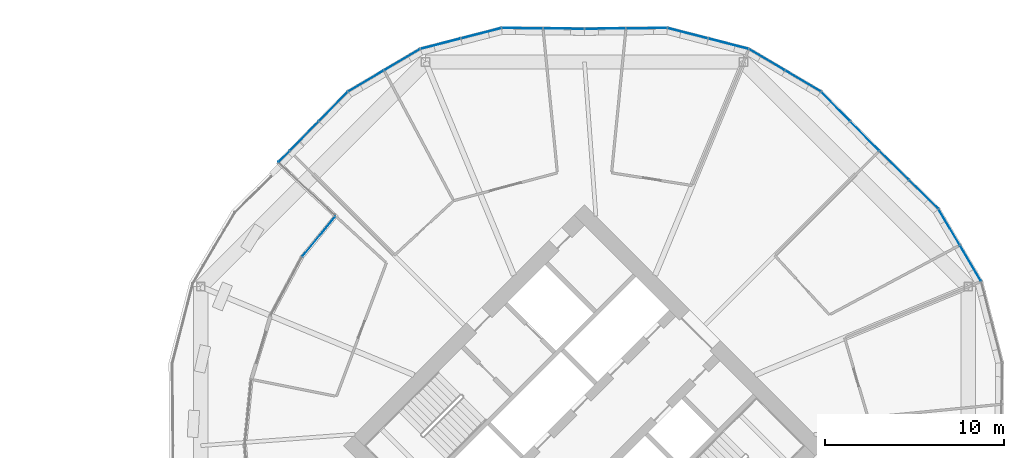
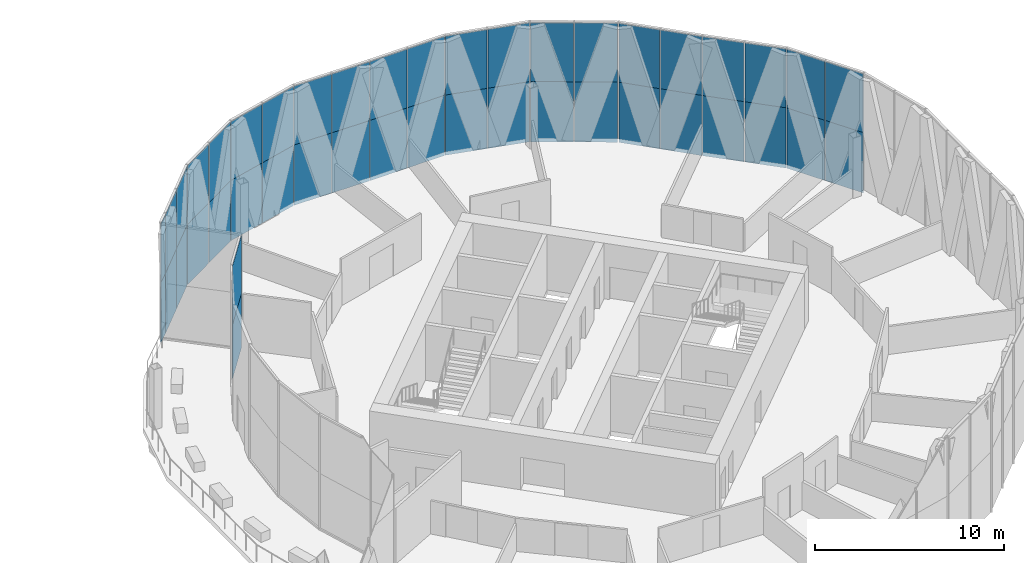
# One storey, part 21 of 31: 44 plates, 5 elements without a shape of their own.
"""IFC4 building model written with IfcOpenShell, lengths in metres."""

import ifcopenshell
import ifcopenshell.guid

model = None  # the IFC model being written
_history = None  # IfcOwnerHistory: only IFC2X3 demands one
_inside = {}  # id of a spatial element -> (the spatial element, [elements in it])
_under = {}  # id of a project, library or spatial element -> (it, [spatial elements below it])
_declared = {}  # id of a project -> (the project, [libraries it declares])
_typed = {}  # id of a type object -> (the type object, [elements of that type])
_made_of = {}  # id of a material, layer set ... -> (it, [elements and type objects made of it])


def new_model(schema):
    """Start an empty IFC model of exactly this schema.

    Asked for "IFC4X3", IfcOpenShell would pick the latest addendum, in which some entities
    have other attributes; the version numbers below select the first issue.
    IFC2X3 requires an IfcOwnerHistory on every rooted entity: one is made here for all.
    """
    global model, _history
    if schema == "IFC4X3":
        model = ifcopenshell.file(schema_version=(4, 3, 0, 0))
    else:
        model = ifcopenshell.file(schema=schema)
    _inside.clear()
    _under.clear()
    _declared.clear()
    _typed.clear()
    _made_of.clear()
    _history = None
    if model.schema == "IFC2X3":
        org = make("IfcOrganization", Name="unknown")
        user = make(
            "IfcPersonAndOrganization",
            ThePerson=make("IfcPerson", FamilyName="unknown"),
            TheOrganization=org,
        )
        app = make(
            "IfcApplication",
            ApplicationDeveloper=org,
            Version="unknown",
            ApplicationFullName="unknown",
            ApplicationIdentifier="unknown",
        )
        _history = make(
            "IfcOwnerHistory",
            OwningUser=user,
            OwningApplication=app,
            ChangeAction="ADDED",
            CreationDate=0,
        )
    return model


def make(cls, **values):
    """One entity of the class cls with the attributes given. An attribute that is None is left unset."""
    return model.create_entity(
        cls, **{name: value for name, value in values.items() if value is not None}
    )


def rooted(cls, **values):
    """An entity with a GlobalId (a new one), such as an element, a storey or a relation."""
    return make(cls, GlobalId=ifcopenshell.guid.new(), OwnerHistory=_history, **values)


def si_unit(unit_type, name, prefix=None):
    """IfcSIUnit, for example si_unit("LENGTHUNIT", "METRE", prefix="MILLI")."""
    return make("IfcSIUnit", UnitType=unit_type, Prefix=prefix, Name=name)


def assignment(units):
    """IfcUnitAssignment: the units of a project."""
    return None if units is None else make("IfcUnitAssignment", Units=units)


def point(xyz):
    """IfcCartesianPoint."""
    return None if xyz is None else make("IfcCartesianPoint", Coordinates=xyz)


def direction(xyz):
    """IfcDirection."""
    return None if xyz is None else make("IfcDirection", DirectionRatios=xyz)


def frame(location, z_axis=None, x_axis=None):
    """IfcAxis2Placement3D, a coordinate frame: its origin and axes. An axis left out is left unset."""
    return make(
        "IfcAxis2Placement3D",
        Location=point(location),
        Axis=direction(z_axis),
        RefDirection=direction(x_axis),
    )


def frame_2d(location, x_axis=None):
    """IfcAxis2Placement2D, a coordinate frame in the plane: its origin and x axis."""
    return make(
        "IfcAxis2Placement2D", Location=point(location), RefDirection=direction(x_axis)
    )


def origin():
    """The frame at (0, 0, 0) with its axes left unset."""
    return frame((0.0, 0.0, 0.0))


def origin_2d():
    """The frame at (0, 0) in the plane with its x axis left unset."""
    return frame_2d((0.0, 0.0))


def place(relative_to, where):
    """IfcLocalPlacement: puts the frame where relative to a parent placement (None: the world)."""
    return make(
        "IfcLocalPlacement", PlacementRelTo=relative_to, RelativePlacement=where
    )


def context(
    kind, dimensions, precision=None, world=None, true_north=None, identifier=None
):
    """IfcGeometricRepresentationContext, for example the 3D "Model" context."""
    return make(
        "IfcGeometricRepresentationContext",
        ContextIdentifier=identifier,
        ContextType=kind,
        CoordinateSpaceDimension=dimensions,
        Precision=precision,
        WorldCoordinateSystem=world,
        TrueNorth=true_north,
    )


def subcontext(parent, identifier, kind, view, scale=None):
    """IfcGeometricRepresentationSubContext, for example "Body" below "Model"."""
    return make(
        "IfcGeometricRepresentationSubContext",
        ContextIdentifier=identifier,
        ContextType=kind,
        ParentContext=parent,
        TargetScale=scale,
        TargetView=view,
    )


def project(units=None, contexts=None):
    """IfcProject with its units and contexts."""
    return rooted(
        "IfcProject",
        Name="project",
        RepresentationContexts=contexts,
        UnitsInContext=assignment(units),
    )


def spatial(cls, under=None, at=None, **own):
    """A site, building, storey or space (cls), placed at a placement, below another one or the project."""
    s = rooted(cls, ObjectPlacement=at, **own)
    if under is not None:
        _under.setdefault(under.id(), (under, []))[1].append(s)
    return s


def profile(cls, at=None, kind="AREA", **sizes):
    """A parametric profile (cls). Its sizes go by their IFC names, for example OverallWidth=200.0."""
    return make(cls, ProfileType=kind, Position=at, **sizes)


def rectangle(**sizes):
    """IfcRectangleProfileDef."""
    return profile("IfcRectangleProfileDef", **sizes)


def extrude(swept, where, along, depth):
    """IfcExtrudedAreaSolid: the profile swept, set in the frame where, extruded along a direction by depth."""
    return make(
        "IfcExtrudedAreaSolid",
        SweptArea=swept,
        Position=where,
        ExtrudedDirection=direction(along),
        Depth=depth,
    )


def shape(context_of_items, identifier, shape_type, items):
    """IfcShapeRepresentation: the items that make up one representation, for example the "Body"."""
    return make(
        "IfcShapeRepresentation",
        ContextOfItems=context_of_items,
        RepresentationIdentifier=identifier,
        RepresentationType=shape_type,
        Items=items,
    )


def material(Name=None, Category=None):
    """IfcMaterial."""
    return make("IfcMaterial", Name=Name, Category=Category)


def layer(
    of_material, thickness, ventilated=None, Name=None, Category=None, Priority=None
):
    """IfcMaterialLayer: one layer of a wall or slab, of a material (None: an air gap)."""
    return make(
        "IfcMaterialLayer",
        Material=of_material,
        LayerThickness=thickness,
        IsVentilated=ventilated,
        Name=Name,
        Category=Category,
        Priority=Priority,
    )


def layer_set(layers, Name=None):
    """IfcMaterialLayerSet."""
    return make("IfcMaterialLayerSet", MaterialLayers=layers, LayerSetName=Name)


def made_of(thing, what):
    """Note that an element or type object is made of a material, layer set ...; save() writes the relation."""
    if what is not None:
        _made_of.setdefault(what.id(), (what, []))[1].append(thing)
    return thing


def type_object(cls, material=None, **own):
    """A type object (cls), such as IfcWallType, which elements share."""
    return made_of(rooted(cls, **own), material)


def element(
    cls,
    number,
    at=None,
    inside=None,
    cuts=None,
    type_object=None,
    material=None,
    context=None,
    identifier="Body",
    shape_type=None,
    held_by="IfcProductDefinitionShape",
    body=None,
    shapes=None,
    **own,
):
    """One element of the class cls, such as IfcWall. Its Tag is "e" and its number.

    at: its placement. inside: the storey or other place that contains it. cuts: it is an
    opening in that element (IfcRelVoidsElement). A single representation is given by context,
    identifier, shape_type and body (its items); several are given by shapes. held_by: the class
    of the entity that holds the representations. save() writes the other relations.
    """
    e = rooted(cls, Tag="e%d" % number, ObjectPlacement=at, **own)
    if body is not None:
        shapes = [shape(context, identifier, shape_type, body)]
    if shapes is not None:
        e.Representation = make(held_by, Representations=shapes)
    if inside is not None:
        _inside.setdefault(inside.id(), (inside, []))[1].append(e)
    if cuts is not None:
        rooted(
            "IfcRelVoidsElement", RelatingBuildingElement=cuts, RelatedOpeningElement=e
        )
    if type_object is not None:
        _typed.setdefault(type_object.id(), (type_object, []))[1].append(e)
    return made_of(e, material)


def aggregate(whole, parts):
    """IfcRelAggregates: a whole, such as a stair, and the parts it consists of."""
    return rooted("IfcRelAggregates", RelatingObject=whole, RelatedObjects=parts)


def save(model, path):
    """Write the relations noted so far, then the file.

    IfcRelAggregates (storeys below a building ...), IfcRelContainedInSpatialStructure (elements
    in a storey), IfcRelDefinesByType, IfcRelAssociatesMaterial and IfcRelDeclares: one each for
    every whole, place, type object, material and project.
    """
    for whole, parts in _under.values():
        aggregate(whole, parts)
    for where, things in _inside.values():
        rooted(
            "IfcRelContainedInSpatialStructure",
            RelatedElements=things,
            RelatingStructure=where,
        )
    for kind, things in _typed.values():
        rooted("IfcRelDefinesByType", RelatedObjects=things, RelatingType=kind)
    for what, things in _made_of.values():
        rooted("IfcRelAssociatesMaterial", RelatedObjects=things, RelatingMaterial=what)
    for by, libraries in _declared.values():
        rooted("IfcRelDeclares", RelatingContext=by, RelatedDefinitions=libraries)
    model.write(path)


model = new_model("IFC4")

# Units and contexts
model_context = context("Model", 3, precision=1e-05, world=origin(), true_north=direction((0.0, 1.0)))
body_context = subcontext(model_context, "Body", "Model", "MODEL_VIEW")
ifc_project = project(units=[si_unit("LENGTHUNIT", "METRE"), si_unit("AREAUNIT", "SQUARE_METRE"), si_unit("VOLUMEUNIT", "CUBIC_METRE"), si_unit("PLANEANGLEUNIT", "RADIAN"), si_unit("MASSUNIT", "GRAM", prefix="KILO")], contexts=[model_context])

# Site, building, storey
site_placement = place(None, origin())
site = spatial("IfcSite", under=ifc_project, at=site_placement, CompositionType="ELEMENT")
building_placement = place(site_placement, origin())
building = spatial("IfcBuilding", under=site, at=building_placement, Name="Ogive Gate Towers", CompositionType="ELEMENT")
storey_placement = place(building_placement, frame((0.0, 0.0, 107.39990234375)))
storey = spatial("IfcBuildingStorey", under=building, at=storey_placement, Name="L25", CompositionType="ELEMENT", Elevation=107.39990234375)

# Curtain wall, plates
ifc_material_1 = material(Name="Pale metal aluminium", Category="aluminium")
curtain_wall_type_1 = type_object("IfcCurtainWallType", Name="Sky garden glazing", PredefinedType="NOTDEFINED", material=ifc_material_1)
curtain_wall_1_placement = place(storey_placement, origin())
curtain_wall_1 = element("IfcCurtainWall", 1, at=curtain_wall_1_placement, inside=storey, type_object=curtain_wall_type_1, Name="CW4 T2 ECW01b", PredefinedType="NOTDEFINED")
ifc_material_2 = material(Name="Clear glass", Category="glass")
ifc_layer_1 = layer(ifc_material_2, 0.028076171875)
ifc_layer_set_1 = layer_set([ifc_layer_1], Name="Sky garden glazing glass panel")
plate_type_1 = type_object("IfcPlateType", Name="Sky garden glazing glass panel", PredefinedType="CURTAIN_PANEL", material=ifc_layer_set_1)
plate_1_placement = place(storey_placement, frame((21.18359375, 11.65869140625, 0.09619140625), z_axis=(0.0, 0.0, 1.0), x_axis=(0.634393284164, 0.773010453363, 0.0)))
plate_1 = element("IfcPlate", 2, at=plate_1_placement, type_object=plate_type_1, Name="CW4 glass panel", PredefinedType="CURTAIN_PANEL", context=body_context, shape_type="SweptSolid", body=[
    extrude(rectangle(XDim=2.887939453125, YDim=0.028076171875, at=origin_2d()), origin(), (0.0, 0.0, 1.0), 3.50390625),
])
plate_2_placement = place(storey_placement, frame((21.18359375, 11.65869140625, 3.60009765625), z_axis=(0.0, 0.0, 1.0), x_axis=(0.634393284164, 0.773010453363, 0.0)))
plate_2 = element("IfcPlate", 3, at=plate_2_placement, type_object=plate_type_1, Name="CW4 glass panel", PredefinedType="CURTAIN_PANEL", context=body_context, shape_type="SweptSolid", body=[
    extrude(rectangle(XDim=2.887939453125, YDim=0.028076171875, at=origin_2d()), origin(), (0.0, 0.0, 1.0), 3.803955078125),
])
aggregate(curtain_wall_1, [plate_1, plate_2])

curtain_wall_type_2 = type_object("IfcCurtainWallType", Name="Tower unitised wall, low zone", PredefinedType="NOTDEFINED", material=ifc_material_1)
curtain_wall_2_placement = place(storey_placement, origin())
curtain_wall_2 = element("IfcCurtainWall", 4, at=curtain_wall_2_placement, inside=storey, type_object=curtain_wall_type_2, Name="CW1 T2 ECW03", PredefinedType="NOTDEFINED")
ifc_layer_2 = layer(ifc_material_2, 0.028076171875)
ifc_layer_set_2 = layer_set([ifc_layer_2], Name="Tower unitised wall, low zone glass panel")
plate_type_2 = type_object("IfcPlateType", Name="Tower unitised wall, low zone glass panel", PredefinedType="CURTAIN_PANEL", material=ifc_layer_set_2)
plate_3_placement = place(storey_placement, frame((53.2587890625, 15.623779296875, -0.2998046875), z_axis=(0.0, 0.0, 1.0), x_axis=(0.714081802495, -0.700062268192, 0.0)))
plate_3 = element("IfcPlate", 5, at=plate_3_placement, type_object=plate_type_2, Name="CW1 glass panel", PredefinedType="CURTAIN_PANEL", context=body_context, shape_type="SweptSolid", body=[
    extrude(rectangle(XDim=2.25830078125, YDim=0.028076171875, at=origin_2d()), origin(), (0.0, 0.0, 1.0), 3.89990234375),
])
plate_4_placement = place(storey_placement, frame((53.2587890625, 15.623779296875, 3.60009765625), z_axis=(0.0, 0.0, 1.0), x_axis=(0.714081802495, -0.700062268192, 0.0)))
plate_4 = element("IfcPlate", 6, at=plate_4_placement, type_object=plate_type_2, Name="CW1 glass panel", PredefinedType="CURTAIN_PANEL", context=body_context, shape_type="SweptSolid", body=[
    extrude(rectangle(XDim=2.25830078125, YDim=0.028076171875, at=origin_2d()), origin(), (0.0, 0.0, 1.0), 3.803955078125),
])
plate_5_placement = place(storey_placement, frame((54.908447265625, 14.006591796875, -0.2998046875), z_axis=(0.0, 0.0, 1.0), x_axis=(0.714081802495, -0.700062268192, 0.0)))
plate_5 = element("IfcPlate", 7, at=plate_5_placement, type_object=plate_type_2, Name="CW1 glass panel", PredefinedType="CURTAIN_PANEL", context=body_context, shape_type="SweptSolid", body=[
    extrude(rectangle(XDim=2.254150390625, YDim=0.028076171875, at=origin_2d()), origin(), (0.0, 0.0, 1.0), 3.89990234375),
])
plate_6_placement = place(storey_placement, frame((54.908447265625, 14.006591796875, 3.60009765625), z_axis=(0.0, 0.0, 1.0), x_axis=(0.714081802495, -0.700062268192, 0.0)))
plate_6 = element("IfcPlate", 8, at=plate_6_placement, type_object=plate_type_2, Name="CW1 glass panel", PredefinedType="CURTAIN_PANEL", context=body_context, shape_type="SweptSolid", body=[
    extrude(rectangle(XDim=2.254150390625, YDim=0.028076171875, at=origin_2d()), origin(), (0.0, 0.0, 1.0), 3.803955078125),
])
plate_7_placement = place(storey_placement, frame((56.33203125, 12.185791015625, -0.2998046875), z_axis=(0.0, 0.0, 1.0), x_axis=(0.508680824326, -0.860955178255, 0.0)))
plate_7 = element("IfcPlate", 9, at=plate_7_placement, type_object=plate_type_2, Name="CW1 glass panel", PredefinedType="CURTAIN_PANEL", context=body_context, shape_type="SweptSolid", body=[
    extrude(rectangle(XDim=2.284912109375, YDim=0.028076171875, at=origin_2d()), origin(), (0.0, 0.0, 1.0), 3.89990234375),
])
plate_8_placement = place(storey_placement, frame((56.33203125, 12.185791015625, 3.60009765625), z_axis=(0.0, 0.0, 1.0), x_axis=(0.508680824326, -0.860955178255, 0.0)))
plate_8 = element("IfcPlate", 10, at=plate_8_placement, type_object=plate_type_2, Name="CW1 glass panel", PredefinedType="CURTAIN_PANEL", context=body_context, shape_type="SweptSolid", body=[
    extrude(rectangle(XDim=2.284912109375, YDim=0.028076171875, at=origin_2d()), origin(), (0.0, 0.0, 1.0), 3.803955078125),
])
plate_9_placement = place(storey_placement, frame((57.521728515625, 10.172119140625, -0.2998046875), z_axis=(0.0, 0.0, 1.0), x_axis=(0.508620717076, -0.860990688777, 0.0)))
plate_9 = element("IfcPlate", 11, at=plate_9_placement, type_object=plate_type_2, Name="CW1 glass panel", PredefinedType="CURTAIN_PANEL", context=body_context, shape_type="SweptSolid", body=[
    extrude(rectangle(XDim=2.284912109375, YDim=0.028076171875, at=origin_2d()), origin(), (0.0, 0.0, 1.0), 3.89990234375),
])
plate_10_placement = place(storey_placement, frame((57.521728515625, 10.172119140625, 3.60009765625), z_axis=(0.0, 0.0, 1.0), x_axis=(0.508620717076, -0.860990688777, 0.0)))
plate_10 = element("IfcPlate", 12, at=plate_10_placement, type_object=plate_type_2, Name="CW1 glass panel", PredefinedType="CURTAIN_PANEL", context=body_context, shape_type="SweptSolid", body=[
    extrude(rectangle(XDim=2.284912109375, YDim=0.028076171875, at=origin_2d()), origin(), (0.0, 0.0, 1.0), 3.803955078125),
])
aggregate(curtain_wall_2, [plate_3, plate_4, plate_5, plate_6, plate_7, plate_8, plate_9, plate_10])

curtain_wall_3_placement = place(storey_placement, origin())
curtain_wall_3 = element("IfcCurtainWall", 13, at=curtain_wall_3_placement, inside=storey, type_object=curtain_wall_type_2, Name="CW1 T2 ECW04", PredefinedType="NOTDEFINED")
plate_11_placement = place(storey_placement, frame((37.156005859375, 23.25146484375, -0.2998046875), z_axis=(0.0, 0.0, 1.0), x_axis=(0.999951034825, 0.009895855338, 0.0)))
plate_11 = element("IfcPlate", 14, at=plate_11_placement, type_object=plate_type_2, Name="CW1 glass panel", PredefinedType="CURTAIN_PANEL", context=body_context, shape_type="SweptSolid", body=[
    extrude(rectangle(XDim=2.25830078125, YDim=0.028076171875, at=origin_2d()), origin(), (0.0, 0.0, 1.0), 3.89990234375),
])
plate_12_placement = place(storey_placement, frame((37.156005859375, 23.25146484375, 3.60009765625), z_axis=(0.0, 0.0, 1.0), x_axis=(0.999951034825, 0.009895855338, 0.0)))
plate_12 = element("IfcPlate", 15, at=plate_12_placement, type_object=plate_type_2, Name="CW1 glass panel", PredefinedType="CURTAIN_PANEL", context=body_context, shape_type="SweptSolid", body=[
    extrude(rectangle(XDim=2.25830078125, YDim=0.028076171875, at=origin_2d()), origin(), (0.0, 0.0, 1.0), 3.803955078125),
])
plate_13_placement = place(storey_placement, frame((39.46630859375, 23.2744140625, -0.2998046875), z_axis=(0.0, 0.0, 1.0), x_axis=(0.999950515308, 0.009948212638, 0.0)))
plate_13 = element("IfcPlate", 16, at=plate_13_placement, type_object=plate_type_2, Name="CW1 glass panel", PredefinedType="CURTAIN_PANEL", context=body_context, shape_type="SweptSolid", body=[
    extrude(rectangle(XDim=2.25439453125, YDim=0.028076171875, at=origin_2d()), origin(), (0.0, 0.0, 1.0), 3.89990234375),
])
plate_14_placement = place(storey_placement, frame((39.46630859375, 23.2744140625, 3.60009765625), z_axis=(0.0, 0.0, 1.0), x_axis=(0.999950515308, 0.009948212638, 0.0)))
plate_14 = element("IfcPlate", 17, at=plate_14_placement, type_object=plate_type_2, Name="CW1 glass panel", PredefinedType="CURTAIN_PANEL", context=body_context, shape_type="SweptSolid", body=[
    extrude(rectangle(XDim=2.25439453125, YDim=0.028076171875, at=origin_2d()), origin(), (0.0, 0.0, 1.0), 3.803955078125),
])
plate_15_placement = place(storey_placement, frame((41.760498046875, 22.99365234375, -0.2998046875), z_axis=(0.0, 0.0, 1.0), x_axis=(0.96846586124, -0.249146293597, 0.0)))
plate_15 = element("IfcPlate", 18, at=plate_15_placement, type_object=plate_type_2, Name="CW1 glass panel", PredefinedType="CURTAIN_PANEL", context=body_context, shape_type="SweptSolid", body=[
    extrude(rectangle(XDim=2.284912109375, YDim=0.028076171875, at=origin_2d()), origin(), (0.0, 0.0, 1.0), 3.89990234375),
])
plate_16_placement = place(storey_placement, frame((41.760498046875, 22.99365234375, 3.60009765625), z_axis=(0.0, 0.0, 1.0), x_axis=(0.96846586124, -0.249146293597, 0.0)))
plate_16 = element("IfcPlate", 19, at=plate_16_placement, type_object=plate_type_2, Name="CW1 glass panel", PredefinedType="CURTAIN_PANEL", context=body_context, shape_type="SweptSolid", body=[
    extrude(rectangle(XDim=2.284912109375, YDim=0.028076171875, at=origin_2d()), origin(), (0.0, 0.0, 1.0), 3.803955078125),
])
plate_17_placement = place(storey_placement, frame((44.025390625, 22.410888671875, -0.2998046875), z_axis=(0.0, 0.0, 1.0), x_axis=(0.968474557496, -0.249112487609, 0.0)))
plate_17 = element("IfcPlate", 20, at=plate_17_placement, type_object=plate_type_2, Name="CW1 glass panel", PredefinedType="CURTAIN_PANEL", context=body_context, shape_type="SweptSolid", body=[
    extrude(rectangle(XDim=2.28466796875, YDim=0.028076171875, at=origin_2d()), origin(), (0.0, 0.0, 1.0), 3.89990234375),
])
plate_18_placement = place(storey_placement, frame((44.025390625, 22.410888671875, 3.60009765625), z_axis=(0.0, 0.0, 1.0), x_axis=(0.968474557496, -0.249112487609, 0.0)))
plate_18 = element("IfcPlate", 21, at=plate_18_placement, type_object=plate_type_2, Name="CW1 glass panel", PredefinedType="CURTAIN_PANEL", context=body_context, shape_type="SweptSolid", body=[
    extrude(rectangle(XDim=2.28466796875, YDim=0.028076171875, at=origin_2d()), origin(), (0.0, 0.0, 1.0), 3.803955078125),
])
plate_19_placement = place(storey_placement, frame((46.172119140625, 21.521728515625, -0.2998046875), z_axis=(0.0, 0.0, 1.0), x_axis=(0.860990688777, -0.508620717076, 0.0)))
plate_19 = element("IfcPlate", 22, at=plate_19_placement, type_object=plate_type_2, Name="CW1 glass panel", PredefinedType="CURTAIN_PANEL", context=body_context, shape_type="SweptSolid", body=[
    extrude(rectangle(XDim=2.284912109375, YDim=0.028076171875, at=origin_2d()), origin(), (0.0, 0.0, 1.0), 3.89990234375),
])
plate_20_placement = place(storey_placement, frame((46.172119140625, 21.521728515625, 3.60009765625), z_axis=(0.0, 0.0, 1.0), x_axis=(0.860990688777, -0.508620717076, 0.0)))
plate_20 = element("IfcPlate", 23, at=plate_20_placement, type_object=plate_type_2, Name="CW1 glass panel", PredefinedType="CURTAIN_PANEL", context=body_context, shape_type="SweptSolid", body=[
    extrude(rectangle(XDim=2.284912109375, YDim=0.028076171875, at=origin_2d()), origin(), (0.0, 0.0, 1.0), 3.803955078125),
])
plate_21_placement = place(storey_placement, frame((48.185791015625, 20.33203125, -0.2998046875), z_axis=(0.0, 0.0, 1.0), x_axis=(0.860955178255, -0.508680824326, 0.0)))
plate_21 = element("IfcPlate", 24, at=plate_21_placement, type_object=plate_type_2, Name="CW1 glass panel", PredefinedType="CURTAIN_PANEL", context=body_context, shape_type="SweptSolid", body=[
    extrude(rectangle(XDim=2.284912109375, YDim=0.028076171875, at=origin_2d()), origin(), (0.0, 0.0, 1.0), 3.89990234375),
])
plate_22_placement = place(storey_placement, frame((48.185791015625, 20.33203125, 3.60009765625), z_axis=(0.0, 0.0, 1.0), x_axis=(0.860955178255, -0.508680824326, 0.0)))
plate_22 = element("IfcPlate", 25, at=plate_22_placement, type_object=plate_type_2, Name="CW1 glass panel", PredefinedType="CURTAIN_PANEL", context=body_context, shape_type="SweptSolid", body=[
    extrude(rectangle(XDim=2.284912109375, YDim=0.028076171875, at=origin_2d()), origin(), (0.0, 0.0, 1.0), 3.803955078125),
])
plate_23_placement = place(storey_placement, frame((50.006591796875, 18.908447265625, -0.2998046875), z_axis=(0.0, 0.0, 1.0), x_axis=(0.700062268192, -0.714081802495, 0.0)))
plate_23 = element("IfcPlate", 26, at=plate_23_placement, type_object=plate_type_2, Name="CW1 glass panel", PredefinedType="CURTAIN_PANEL", context=body_context, shape_type="SweptSolid", body=[
    extrude(rectangle(XDim=2.254150390625, YDim=0.028076171875, at=origin_2d()), origin(), (0.0, 0.0, 1.0), 3.89990234375),
])
plate_24_placement = place(storey_placement, frame((50.006591796875, 18.908447265625, 3.60009765625), z_axis=(0.0, 0.0, 1.0), x_axis=(0.700062268192, -0.714081802495, 0.0)))
plate_24 = element("IfcPlate", 27, at=plate_24_placement, type_object=plate_type_2, Name="CW1 glass panel", PredefinedType="CURTAIN_PANEL", context=body_context, shape_type="SweptSolid", body=[
    extrude(rectangle(XDim=2.254150390625, YDim=0.028076171875, at=origin_2d()), origin(), (0.0, 0.0, 1.0), 3.803955078125),
])
plate_25_placement = place(storey_placement, frame((51.623779296875, 17.2587890625, -0.2998046875), z_axis=(0.0, 0.0, 1.0), x_axis=(0.700062268192, -0.714081802495, 0.0)))
plate_25 = element("IfcPlate", 28, at=plate_25_placement, type_object=plate_type_2, Name="CW1 glass panel", PredefinedType="CURTAIN_PANEL", context=body_context, shape_type="SweptSolid", body=[
    extrude(rectangle(XDim=2.25830078125, YDim=0.028076171875, at=origin_2d()), origin(), (0.0, 0.0, 1.0), 3.89990234375),
])
plate_26_placement = place(storey_placement, frame((51.623779296875, 17.2587890625, 3.60009765625), z_axis=(0.0, 0.0, 1.0), x_axis=(0.700062268192, -0.714081802495, 0.0)))
plate_26 = element("IfcPlate", 29, at=plate_26_placement, type_object=plate_type_2, Name="CW1 glass panel", PredefinedType="CURTAIN_PANEL", context=body_context, shape_type="SweptSolid", body=[
    extrude(rectangle(XDim=2.25830078125, YDim=0.028076171875, at=origin_2d()), origin(), (0.0, 0.0, 1.0), 3.803955078125),
])
aggregate(curtain_wall_3, [plate_11, plate_12, plate_13, plate_14, plate_15, plate_16, plate_17, plate_18, plate_19, plate_20, plate_21, plate_22, plate_23, plate_24, plate_25, plate_26])

curtain_wall_4_placement = place(storey_placement, origin())
curtain_wall_4 = element("IfcCurtainWall", 30, at=curtain_wall_4_placement, inside=storey, type_object=curtain_wall_type_2, Name="CW1 T2 ECW05", PredefinedType="NOTDEFINED")
plate_27_placement = place(storey_placement, frame((20.376220703125, 17.2587890625, -0.2998046875), z_axis=(0.0, 0.0, 1.0), x_axis=(0.700062268192, 0.714081802495, 0.0)))
plate_27 = element("IfcPlate", 31, at=plate_27_placement, type_object=plate_type_2, Name="CW1 glass panel", PredefinedType="CURTAIN_PANEL", context=body_context, shape_type="SweptSolid", body=[
    extrude(rectangle(XDim=2.25830078125, YDim=0.028076171875, at=origin_2d()), origin(), (0.0, 0.0, 1.0), 3.89990234375),
])
plate_28_placement = place(storey_placement, frame((20.376220703125, 17.2587890625, 3.60009765625), z_axis=(0.0, 0.0, 1.0), x_axis=(0.700062268192, 0.714081802495, 0.0)))
plate_28 = element("IfcPlate", 32, at=plate_28_placement, type_object=plate_type_2, Name="CW1 glass panel", PredefinedType="CURTAIN_PANEL", context=body_context, shape_type="SweptSolid", body=[
    extrude(rectangle(XDim=2.25830078125, YDim=0.028076171875, at=origin_2d()), origin(), (0.0, 0.0, 1.0), 3.803955078125),
])
plate_29_placement = place(storey_placement, frame((21.993408203125, 18.908447265625, -0.2998046875), z_axis=(0.0, 0.0, 1.0), x_axis=(0.700062268192, 0.714081802495, 0.0)))
plate_29 = element("IfcPlate", 33, at=plate_29_placement, type_object=plate_type_2, Name="CW1 glass panel", PredefinedType="CURTAIN_PANEL", context=body_context, shape_type="SweptSolid", body=[
    extrude(rectangle(XDim=2.254150390625, YDim=0.028076171875, at=origin_2d()), origin(), (0.0, 0.0, 1.0), 3.89990234375),
])
plate_30_placement = place(storey_placement, frame((21.993408203125, 18.908447265625, 3.60009765625), z_axis=(0.0, 0.0, 1.0), x_axis=(0.700062268192, 0.714081802495, 0.0)))
plate_30 = element("IfcPlate", 34, at=plate_30_placement, type_object=plate_type_2, Name="CW1 glass panel", PredefinedType="CURTAIN_PANEL", context=body_context, shape_type="SweptSolid", body=[
    extrude(rectangle(XDim=2.254150390625, YDim=0.028076171875, at=origin_2d()), origin(), (0.0, 0.0, 1.0), 3.803955078125),
])
plate_31_placement = place(storey_placement, frame((23.814208984375, 20.33203125, -0.2998046875), z_axis=(0.0, 0.0, 1.0), x_axis=(0.860955178255, 0.508680824326, 0.0)))
plate_31 = element("IfcPlate", 35, at=plate_31_placement, type_object=plate_type_2, Name="CW1 glass panel", PredefinedType="CURTAIN_PANEL", context=body_context, shape_type="SweptSolid", body=[
    extrude(rectangle(XDim=2.284912109375, YDim=0.028076171875, at=origin_2d()), origin(), (0.0, 0.0, 1.0), 3.89990234375),
])
plate_32_placement = place(storey_placement, frame((23.814208984375, 20.33203125, 3.60009765625), z_axis=(0.0, 0.0, 1.0), x_axis=(0.860955178255, 0.508680824326, 0.0)))
plate_32 = element("IfcPlate", 36, at=plate_32_placement, type_object=plate_type_2, Name="CW1 glass panel", PredefinedType="CURTAIN_PANEL", context=body_context, shape_type="SweptSolid", body=[
    extrude(rectangle(XDim=2.284912109375, YDim=0.028076171875, at=origin_2d()), origin(), (0.0, 0.0, 1.0), 3.803955078125),
])
plate_33_placement = place(storey_placement, frame((25.827880859375, 21.521728515625, -0.2998046875), z_axis=(0.0, 0.0, 1.0), x_axis=(0.860990688777, 0.508620717076, 0.0)))
plate_33 = element("IfcPlate", 37, at=plate_33_placement, type_object=plate_type_2, Name="CW1 glass panel", PredefinedType="CURTAIN_PANEL", context=body_context, shape_type="SweptSolid", body=[
    extrude(rectangle(XDim=2.284912109375, YDim=0.028076171875, at=origin_2d()), origin(), (0.0, 0.0, 1.0), 3.89990234375),
])
plate_34_placement = place(storey_placement, frame((25.827880859375, 21.521728515625, 3.60009765625), z_axis=(0.0, 0.0, 1.0), x_axis=(0.860990688777, 0.508620717076, 0.0)))
plate_34 = element("IfcPlate", 38, at=plate_34_placement, type_object=plate_type_2, Name="CW1 glass panel", PredefinedType="CURTAIN_PANEL", context=body_context, shape_type="SweptSolid", body=[
    extrude(rectangle(XDim=2.284912109375, YDim=0.028076171875, at=origin_2d()), origin(), (0.0, 0.0, 1.0), 3.803955078125),
])
plate_35_placement = place(storey_placement, frame((27.974609375, 22.410888671875, -0.2998046875), z_axis=(0.0, 0.0, 1.0), x_axis=(0.968474557496, 0.249112487609, 0.0)))
plate_35 = element("IfcPlate", 39, at=plate_35_placement, type_object=plate_type_2, Name="CW1 glass panel", PredefinedType="CURTAIN_PANEL", context=body_context, shape_type="SweptSolid", body=[
    extrude(rectangle(XDim=2.28466796875, YDim=0.028076171875, at=origin_2d()), origin(), (0.0, 0.0, 1.0), 3.89990234375),
])
plate_36_placement = place(storey_placement, frame((27.974609375, 22.410888671875, 3.60009765625), z_axis=(0.0, 0.0, 1.0), x_axis=(0.968474557496, 0.249112487609, 0.0)))
plate_36 = element("IfcPlate", 40, at=plate_36_placement, type_object=plate_type_2, Name="CW1 glass panel", PredefinedType="CURTAIN_PANEL", context=body_context, shape_type="SweptSolid", body=[
    extrude(rectangle(XDim=2.28466796875, YDim=0.028076171875, at=origin_2d()), origin(), (0.0, 0.0, 1.0), 3.803955078125),
])
plate_37_placement = place(storey_placement, frame((30.239501953125, 22.99365234375, -0.2998046875), z_axis=(0.0, 0.0, 1.0), x_axis=(0.96846586124, 0.249146293597, 0.0)))
plate_37 = element("IfcPlate", 41, at=plate_37_placement, type_object=plate_type_2, Name="CW1 glass panel", PredefinedType="CURTAIN_PANEL", context=body_context, shape_type="SweptSolid", body=[
    extrude(rectangle(XDim=2.284912109375, YDim=0.028076171875, at=origin_2d()), origin(), (0.0, 0.0, 1.0), 3.89990234375),
])
plate_38_placement = place(storey_placement, frame((30.239501953125, 22.99365234375, 3.60009765625), z_axis=(0.0, 0.0, 1.0), x_axis=(0.96846586124, 0.249146293597, 0.0)))
plate_38 = element("IfcPlate", 42, at=plate_38_placement, type_object=plate_type_2, Name="CW1 glass panel", PredefinedType="CURTAIN_PANEL", context=body_context, shape_type="SweptSolid", body=[
    extrude(rectangle(XDim=2.284912109375, YDim=0.028076171875, at=origin_2d()), origin(), (0.0, 0.0, 1.0), 3.803955078125),
])
plate_39_placement = place(storey_placement, frame((32.53369140625, 23.2744140625, -0.2998046875), z_axis=(0.0, 0.0, 1.0), x_axis=(0.999950515308, -0.009948212638, 0.0)))
plate_39 = element("IfcPlate", 43, at=plate_39_placement, type_object=plate_type_2, Name="CW1 glass panel", PredefinedType="CURTAIN_PANEL", context=body_context, shape_type="SweptSolid", body=[
    extrude(rectangle(XDim=2.25439453125, YDim=0.028076171875, at=origin_2d()), origin(), (0.0, 0.0, 1.0), 3.89990234375),
])
plate_40_placement = place(storey_placement, frame((32.53369140625, 23.2744140625, 3.60009765625), z_axis=(0.0, 0.0, 1.0), x_axis=(0.999950515308, -0.009948212638, 0.0)))
plate_40 = element("IfcPlate", 44, at=plate_40_placement, type_object=plate_type_2, Name="CW1 glass panel", PredefinedType="CURTAIN_PANEL", context=body_context, shape_type="SweptSolid", body=[
    extrude(rectangle(XDim=2.25439453125, YDim=0.028076171875, at=origin_2d()), origin(), (0.0, 0.0, 1.0), 3.803955078125),
])
plate_41_placement = place(storey_placement, frame((34.843994140625, 23.25146484375, -0.2998046875), z_axis=(0.0, 0.0, 1.0), x_axis=(0.999951034825, -0.009895855338, 0.0)))
plate_41 = element("IfcPlate", 45, at=plate_41_placement, type_object=plate_type_2, Name="CW1 glass panel", PredefinedType="CURTAIN_PANEL", context=body_context, shape_type="SweptSolid", body=[
    extrude(rectangle(XDim=2.25830078125, YDim=0.028076171875, at=origin_2d()), origin(), (0.0, 0.0, 1.0), 3.89990234375),
])
plate_42_placement = place(storey_placement, frame((34.843994140625, 23.25146484375, 3.60009765625), z_axis=(0.0, 0.0, 1.0), x_axis=(0.999951034825, -0.009895855338, 0.0)))
plate_42 = element("IfcPlate", 46, at=plate_42_placement, type_object=plate_type_2, Name="CW1 glass panel", PredefinedType="CURTAIN_PANEL", context=body_context, shape_type="SweptSolid", body=[
    extrude(rectangle(XDim=2.25830078125, YDim=0.028076171875, at=origin_2d()), origin(), (0.0, 0.0, 1.0), 3.803955078125),
])
aggregate(curtain_wall_4, [plate_27, plate_28, plate_29, plate_30, plate_31, plate_32, plate_33, plate_34, plate_35, plate_36, plate_37, plate_38, plate_39, plate_40, plate_41, plate_42])

curtain_wall_5_placement = place(storey_placement, origin())
curtain_wall_5 = element("IfcCurtainWall", 47, at=curtain_wall_5_placement, inside=storey, type_object=curtain_wall_type_2, Name="CW1 T2 ECW06", PredefinedType="NOTDEFINED")
plate_43_placement = place(storey_placement, frame((19.2412109375, 16.114013671875, -0.2998046875), z_axis=(0.0, 0.0, 1.0), x_axis=(0.714032927188, 0.7001121188, 0.0)))
plate_43 = element("IfcPlate", 48, at=plate_43_placement, type_object=plate_type_2, Name="CW1 glass panel", PredefinedType="CURTAIN_PANEL", context=body_context, shape_type="SweptSolid", body=[
    extrude(rectangle(XDim=0.85791015625, YDim=0.028076171875, at=origin_2d()), origin(), (0.0, 0.0, 1.0), 3.89990234375),
])
plate_44_placement = place(storey_placement, frame((19.2412109375, 16.114013671875, 3.60009765625), z_axis=(0.0, 0.0, 1.0), x_axis=(0.714032927188, 0.7001121188, 0.0)))
plate_44 = element("IfcPlate", 49, at=plate_44_placement, type_object=plate_type_2, Name="CW1 glass panel", PredefinedType="CURTAIN_PANEL", context=body_context, shape_type="SweptSolid", body=[
    extrude(rectangle(XDim=0.85791015625, YDim=0.028076171875, at=origin_2d()), origin(), (0.0, 0.0, 1.0), 3.803955078125),
])
aggregate(curtain_wall_5, [plate_43, plate_44])

save(model, "model.ifc")
